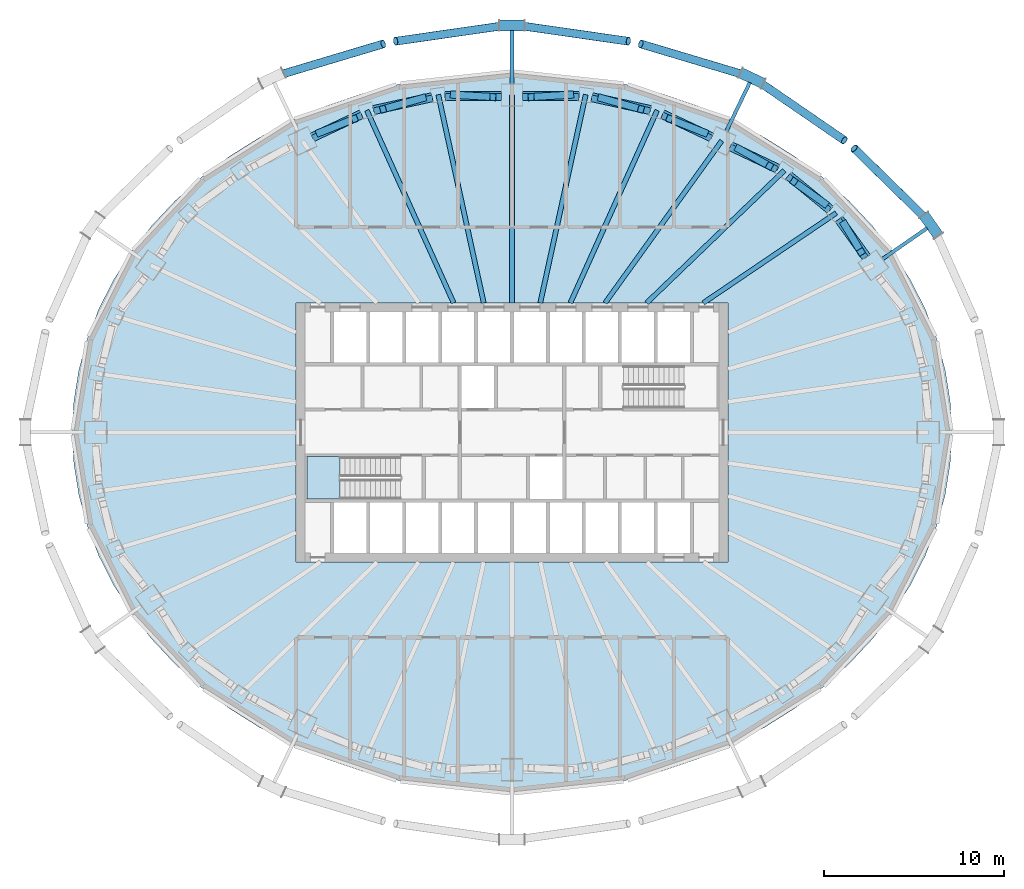
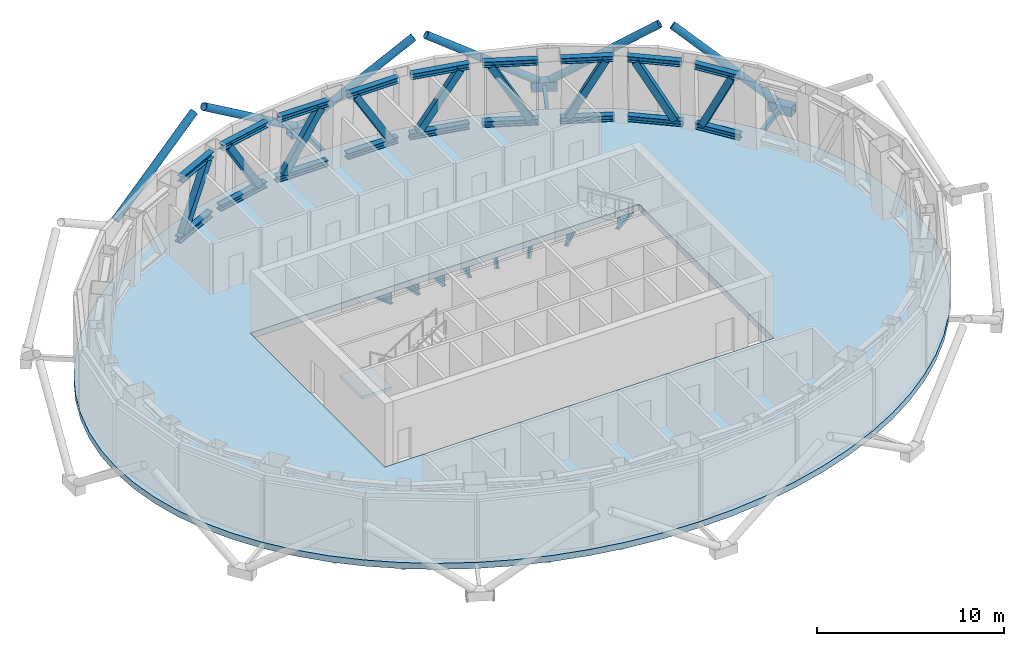
# One storey, part 4 of 16: 26 beams, 21 members, 2 slabs, 1 element without a shape of its own.
"""IFC4 building model written with IfcOpenShell, lengths in metres."""

from ifc_helpers import new_model, si_unit, direction, frame, origin, origin_2d, place, context, subcontext, project, spatial, polyline, hollow_rectangle, hollow_circle, i_section, outline, extrude, material, layer, layer_set, material_profile, profile_set, type_object, element, aggregate, save


model = new_model("IFC4")

# Units and contexts
model_context = context("Model", 3, precision=1e-05, world=origin(), true_north=direction((0.0, 1.0)))
body_context = subcontext(model_context, "Body", "Model", "MODEL_VIEW")
ifc_project = project(units=[si_unit("LENGTHUNIT", "METRE"), si_unit("AREAUNIT", "SQUARE_METRE"), si_unit("VOLUMEUNIT", "CUBIC_METRE"), si_unit("PLANEANGLEUNIT", "RADIAN"), si_unit("MASSUNIT", "GRAM", prefix="KILO")], contexts=[model_context])

# Site, building, storey
site_placement = place(None, origin())
site = spatial("IfcSite", under=ifc_project, at=site_placement, CompositionType="ELEMENT")
building_placement = place(site_placement, origin())
building = spatial("IfcBuilding", under=site, at=building_placement, Name="Siaravel Broadcast Tower", CompositionType="ELEMENT")
storey_placement = place(building_placement, frame((0.0, 0.0, 152.60009765625)))
storey = spatial("IfcBuildingStorey", under=building, at=storey_placement, Name="L36", CompositionType="ELEMENT", Elevation=152.60009765625)

# Beams
ifc_material_1 = material(Name="Steel S355", Category="steel")
ifc_material_profile_1 = material_profile(ifc_material_1, i_section(OverallWidth=0.26513671875, OverallDepth=0.75390625, WebThickness=0.0126953125, FlangeThickness=0.017578125, FilletRadius=0.0166015625, at=origin_2d()))
ifc_profile_set_1 = profile_set([ifc_material_profile_1], Name="Steel S355")
beam_type_1 = type_object("IfcBeamType", Name="BM-UB 762x267x147", PredefinedType="BEAM", material=ifc_profile_set_1)
beam_1_placement = place(storey_placement, frame((18.02587890625, 12.201171875, -0.777099609375), z_axis=(-0.828127255, -0.560540141, 0.0), x_axis=(0.560540141, -0.828127255, 0.0)))
element("IfcBeam", 1, at=beam_1_placement, inside=storey, type_object=beam_type_1, Name="Radial beam RB05", PredefinedType="BEAM", context=body_context, shape_type="SweptSolid", body=[
    extrude(i_section(OverallWidth=0.26513671875, OverallDepth=0.75390625, WebThickness=0.0126953125, FlangeThickness=0.017578125, FilletRadius=0.0166015625, at=origin_2d()), origin(), (0.0, 0.0, 1.0), 8.922119140625),
])
beam_2_placement = place(storey_placement, frame((15.141357421875, 14.563720703125, -0.777099609375), z_axis=(-0.720717342, -0.693229048, 0.0), x_axis=(0.693229048, -0.720717342, 0.0)))
element("IfcBeam", 2, at=beam_2_placement, inside=storey, type_object=beam_type_1, Name="Radial beam RB06", PredefinedType="BEAM", context=body_context, shape_type="SweptSolid", body=[
    extrude(i_section(OverallWidth=0.26513671875, OverallDepth=0.75390625, WebThickness=0.0126953125, FlangeThickness=0.017578125, FilletRadius=0.0166015625, at=origin_2d()), origin(), (0.0, 0.0, 1.0), 10.622314453125),
])
beam_3_placement = place(storey_placement, frame((11.66015625, 16.21533203125, -0.777099609375), z_axis=(-0.583820417, -0.811882825, 0.0), x_axis=(0.811882825, -0.583820417, 0.0)))
element("IfcBeam", 3, at=beam_3_placement, inside=storey, type_object=beam_type_1, Name="Radial beam RB07", PredefinedType="BEAM", context=body_context, shape_type="SweptSolid", body=[
    extrude(i_section(OverallWidth=0.26513671875, OverallDepth=0.75390625, WebThickness=0.0126953125, FlangeThickness=0.017578125, FilletRadius=0.0166015625, at=origin_2d()), origin(), (0.0, 0.0, 1.0), 11.104248046875),
])
beam_4_placement = place(storey_placement, frame((8.069091796875, 17.906982421875, -0.777099609375), z_axis=(-0.410827942, -0.911712895, 0.0), x_axis=(0.911712895, -0.410827942, 0.0)))
element("IfcBeam", 4, at=beam_4_placement, inside=storey, type_object=beam_type_1, Name="Radial beam RB08", PredefinedType="BEAM", context=body_context, shape_type="SweptSolid", body=[
    extrude(i_section(OverallWidth=0.26513671875, OverallDepth=0.75390625, WebThickness=0.0126953125, FlangeThickness=0.017578125, FilletRadius=0.0166015625, at=origin_2d()), origin(), (0.0, 0.0, 1.0), 11.743896484375),
])
beam_5_placement = place(storey_placement, frame((4.098388671875, 18.778564453125, -0.777099609375), z_axis=(-0.213236079, -0.977000703, 0.0), x_axis=(0.977000703, -0.213236079, 0.0)))
element("IfcBeam", 5, at=beam_5_placement, inside=storey, type_object=beam_type_1, Name="Radial beam RB09", PredefinedType="BEAM", context=body_context, shape_type="SweptSolid", body=[
    extrude(i_section(OverallWidth=0.26513671875, OverallDepth=0.75390625, WebThickness=0.0126953125, FlangeThickness=0.017578125, FilletRadius=0.0166015625, at=origin_2d()), origin(), (0.0, 0.0, 1.0), 11.85107421875),
])
beam_6_placement = place(storey_placement, frame((0.0, 18.772216796875, -0.777099609375), z_axis=(0.0, -1.0, 0.0), x_axis=(1.0, 0.0, 0.0)))
element("IfcBeam", 6, at=beam_6_placement, inside=storey, type_object=beam_type_1, Name="Radial beam RB10", PredefinedType="BEAM", context=body_context, shape_type="SweptSolid", body=[
    extrude(i_section(OverallWidth=0.26513671875, OverallDepth=0.75390625, WebThickness=0.0126953125, FlangeThickness=0.017578125, FilletRadius=0.0166015625, at=origin_2d()), origin(), (0.0, 0.0, 1.0), 11.572265625),
])
beam_7_placement = place(storey_placement, frame((-4.098388671875, 18.778564453125, -0.777099609375), z_axis=(0.213236079, -0.977000703, 0.0), x_axis=(0.977000703, 0.213236079, 0.0)))
element("IfcBeam", 7, at=beam_7_placement, inside=storey, type_object=beam_type_1, Name="Radial beam RB11", PredefinedType="BEAM", context=body_context, shape_type="SweptSolid", body=[
    extrude(i_section(OverallWidth=0.26513671875, OverallDepth=0.75390625, WebThickness=0.0126953125, FlangeThickness=0.017578125, FilletRadius=0.0166015625, at=origin_2d()), origin(), (0.0, 0.0, 1.0), 11.85107421875),
])
beam_8_placement = place(storey_placement, frame((-8.069091796875, 17.906982421875, -0.777099609375), z_axis=(0.410827942, -0.911712895, 0.0), x_axis=(0.911712895, 0.410827942, 0.0)))
element("IfcBeam", 8, at=beam_8_placement, inside=storey, type_object=beam_type_1, Name="Radial beam RB12", PredefinedType="BEAM", context=body_context, shape_type="SweptSolid", body=[
    extrude(i_section(OverallWidth=0.26513671875, OverallDepth=0.75390625, WebThickness=0.0126953125, FlangeThickness=0.017578125, FilletRadius=0.0166015625, at=origin_2d()), origin(), (0.0, 0.0, 1.0), 11.743896484375),
])
ifc_material_2 = material(Name="Steel S460", Category="steel")
ifc_material_profile_2 = material_profile(ifc_material_2, i_section(OverallWidth=0.37255859375, OverallDepth=0.3681640625, WebThickness=0.01220703125, FlangeThickness=0.023681640625, FilletRadius=0.01513671875, at=origin_2d()))
ifc_profile_set_2 = profile_set([ifc_material_profile_2], Name="Steel S460")
beam_type_2 = type_object("IfcBeamType", Name="Belt truss chord UC 356x368x177", PredefinedType="BEAM", material=ifc_profile_set_2)
beam_9_placement = place(storey_placement, frame((19.763916015625, 9.785400390625, 0.18408203125), z_axis=(-0.58400854, 0.811747513, 0.0), x_axis=(-0.811747513, -0.58400854, 0.0)))
element("IfcBeam", 9, at=beam_9_placement, inside=storey, type_object=beam_type_2, Name="Belt truss 2 bottom chord 04", PredefinedType="BEAM", context=body_context, shape_type="SweptSolid", body=[
    extrude(i_section(OverallWidth=0.37255859375, OverallDepth=0.3681640625, WebThickness=0.01220703125, FlangeThickness=0.023681640625, FilletRadius=0.01513671875, at=origin_2d()), origin(), (0.0, 0.0, 1.0), 2.606201171875),
])
beam_10_placement = place(storey_placement, frame((19.629150390625, 9.7216796875, 4.165771484375), z_axis=(-0.583489916, 0.812120384, 0.0), x_axis=(-0.812120384, -0.583489916, 0.0)))
element("IfcBeam", 10, at=beam_10_placement, inside=storey, type_object=beam_type_2, Name="Belt truss 2 top chord 04", PredefinedType="BEAM", context=body_context, shape_type="SweptSolid", body=[
    extrude(i_section(OverallWidth=0.37255859375, OverallDepth=0.3681640625, WebThickness=0.01220703125, FlangeThickness=0.023681640625, FilletRadius=0.01513671875, at=origin_2d()), origin(), (0.0, 0.0, 1.0), 2.58203125),
])
beam_11_placement = place(storey_placement, frame((17.73974609375, 12.435546875, 0.18408203125), z_axis=(-0.773636931, 0.633629149, 0.0), x_axis=(-0.633629149, -0.773636931, 0.0)))
element("IfcBeam", 11, at=beam_11_placement, inside=storey, type_object=beam_type_2, Name="Belt truss 2 bottom chord 05", PredefinedType="BEAM", context=body_context, shape_type="SweptSolid", body=[
    extrude(i_section(OverallWidth=0.37255859375, OverallDepth=0.3681640625, WebThickness=0.01220703125, FlangeThickness=0.023681640625, FilletRadius=0.01513671875, at=origin_2d()), origin(), (0.0, 0.0, 1.0), 2.98876953125),
])
beam_12_placement = place(storey_placement, frame((17.620361328125, 12.353515625, 4.165771484375), z_axis=(-0.773608541, 0.633663811, 0.0), x_axis=(-0.633663811, -0.773608541, 0.0)))
element("IfcBeam", 12, at=beam_12_placement, inside=storey, type_object=beam_type_2, Name="Belt truss 2 top chord 05", PredefinedType="BEAM", context=body_context, shape_type="SweptSolid", body=[
    extrude(i_section(OverallWidth=0.37255859375, OverallDepth=0.3681640625, WebThickness=0.01220703125, FlangeThickness=0.023681640625, FilletRadius=0.01513671875, at=origin_2d()), origin(), (0.0, 0.0, 1.0), 2.964111328125),
])
beam_13_placement = place(storey_placement, frame((14.806884765625, 14.722412109375, 0.18408203125), z_axis=(-0.903484633, 0.428620482, 0.0), x_axis=(-0.428620482, -0.903484633, 0.0)))
element("IfcBeam", 13, at=beam_13_placement, inside=storey, type_object=beam_type_2, Name="Belt truss 2 bottom chord 06", PredefinedType="BEAM", context=body_context, shape_type="SweptSolid", body=[
    extrude(i_section(OverallWidth=0.37255859375, OverallDepth=0.3681640625, WebThickness=0.01220703125, FlangeThickness=0.023681640625, FilletRadius=0.01513671875, at=origin_2d()), origin(), (0.0, 0.0, 1.0), 2.887939453125),
])
beam_14_placement = place(storey_placement, frame((14.706787109375, 14.62451171875, 4.165771484375), z_axis=(-0.903710051, 0.428145003, 0.0), x_axis=(-0.428145003, -0.903710051, 0.0)))
element("IfcBeam", 14, at=beam_14_placement, inside=storey, type_object=beam_type_2, Name="Belt truss 2 top chord 06", PredefinedType="BEAM", context=body_context, shape_type="SweptSolid", body=[
    extrude(i_section(OverallWidth=0.37255859375, OverallDepth=0.3681640625, WebThickness=0.01220703125, FlangeThickness=0.023681640625, FilletRadius=0.01513671875, at=origin_2d()), origin(), (0.0, 0.0, 1.0), 2.862548828125),
])
beam_15_placement = place(storey_placement, frame((11.121826171875, 16.468994140625, 0.18408203125), z_axis=(-0.904632623, 0.426192231, 0.0), x_axis=(-0.426192231, -0.904632623, 0.0)))
element("IfcBeam", 15, at=beam_15_placement, inside=storey, type_object=beam_type_2, Name="Belt truss 2 bottom chord 07", PredefinedType="BEAM", context=body_context, shape_type="SweptSolid", body=[
    extrude(i_section(OverallWidth=0.37255859375, OverallDepth=0.3681640625, WebThickness=0.01220703125, FlangeThickness=0.023681640625, FilletRadius=0.01513671875, at=origin_2d()), origin(), (0.0, 0.0, 1.0), 3.004638671875),
])
beam_16_placement = place(storey_placement, frame((11.044189453125, 16.35888671875, 4.165771484375), z_axis=(-0.904454268, 0.426570601, 0.0), x_axis=(-0.426570601, -0.904454268, 0.0)))
element("IfcBeam", 16, at=beam_16_placement, inside=storey, type_object=beam_type_2, Name="Belt truss 2 top chord 07", PredefinedType="BEAM", context=body_context, shape_type="SweptSolid", body=[
    extrude(i_section(OverallWidth=0.37255859375, OverallDepth=0.3681640625, WebThickness=0.01220703125, FlangeThickness=0.023681640625, FilletRadius=0.01513671875, at=origin_2d()), origin(), (0.0, 0.0, 1.0), 2.978515625),
])
beam_17_placement = place(storey_placement, frame((7.707763671875, 17.986328125, 0.18408203125), z_axis=(-0.976746968, 0.214395335, 0.0), x_axis=(-0.214395335, -0.976746968, 0.0)))
element("IfcBeam", 17, at=beam_17_placement, inside=storey, type_object=beam_type_2, Name="Belt truss 2 bottom chord 08", PredefinedType="BEAM", context=body_context, shape_type="SweptSolid", body=[
    extrude(i_section(OverallWidth=0.37255859375, OverallDepth=0.3681640625, WebThickness=0.01220703125, FlangeThickness=0.023681640625, FilletRadius=0.01513671875, at=origin_2d()), origin(), (0.0, 0.0, 1.0), 3.3251953125),
])
beam_18_placement = place(storey_placement, frame((7.654296875, 17.866455078125, 4.165771484375), z_axis=(-0.976751527, 0.214374568, 0.0), x_axis=(-0.214374568, -0.976751527, 0.0)))
element("IfcBeam", 18, at=beam_18_placement, inside=storey, type_object=beam_type_2, Name="Belt truss 2 top chord 08", PredefinedType="BEAM", context=body_context, shape_type="SweptSolid", body=[
    extrude(i_section(OverallWidth=0.37255859375, OverallDepth=0.3681640625, WebThickness=0.01220703125, FlangeThickness=0.023681640625, FilletRadius=0.01513671875, at=origin_2d()), origin(), (0.0, 0.0, 1.0), 3.298095703125),
])
beam_19_placement = place(storey_placement, frame((3.728515625, 18.77783203125, 0.18408203125), z_axis=(-0.999998904, -0.001480326, 0.0), x_axis=(0.001480326, -0.999998904, 0.0)))
element("IfcBeam", 19, at=beam_19_placement, inside=storey, type_object=beam_type_2, Name="Belt truss 2 bottom chord 09", PredefinedType="BEAM", context=body_context, shape_type="SweptSolid", body=[
    extrude(i_section(OverallWidth=0.37255859375, OverallDepth=0.3681640625, WebThickness=0.01220703125, FlangeThickness=0.023681640625, FilletRadius=0.01513671875, at=origin_2d()), origin(), (0.0, 0.0, 1.0), 3.133544921875),
])
beam_20_placement = place(storey_placement, frame((3.701416015625, 18.652099609375, 4.165771484375), z_axis=(-0.999997912, -0.002043378, 0.0), x_axis=(0.002043378, -0.999997912, 0.0)))
element("IfcBeam", 20, at=beam_20_placement, inside=storey, type_object=beam_type_2, Name="Belt truss 2 top chord 09", PredefinedType="BEAM", context=body_context, shape_type="SweptSolid", body=[
    extrude(i_section(OverallWidth=0.37255859375, OverallDepth=0.3681640625, WebThickness=0.01220703125, FlangeThickness=0.023681640625, FilletRadius=0.01513671875, at=origin_2d()), origin(), (0.0, 0.0, 1.0), 3.1064453125),
])
beam_21_placement = place(storey_placement, frame((-0.594970703125, 18.773193359375, 0.18408203125), z_axis=(-0.999998904, 0.001480326, 0.0), x_axis=(-0.001480326, -0.999998904, 0.0)))
element("IfcBeam", 21, at=beam_21_placement, inside=storey, type_object=beam_type_2, Name="Belt truss 2 bottom chord 10", PredefinedType="BEAM", context=body_context, shape_type="SweptSolid", body=[
    extrude(i_section(OverallWidth=0.37255859375, OverallDepth=0.3681640625, WebThickness=0.01220703125, FlangeThickness=0.023681640625, FilletRadius=0.01513671875, at=origin_2d()), origin(), (0.0, 0.0, 1.0), 3.133544921875),
])
beam_22_placement = place(storey_placement, frame((-0.594970703125, 18.645751953125, 4.165771484375), z_axis=(-0.999997912, 0.002043378, 0.0), x_axis=(-0.002043378, -0.999997912, 0.0)))
element("IfcBeam", 22, at=beam_22_placement, inside=storey, type_object=beam_type_2, Name="Belt truss 2 top chord 10", PredefinedType="BEAM", context=body_context, shape_type="SweptSolid", body=[
    extrude(i_section(OverallWidth=0.37255859375, OverallDepth=0.3681640625, WebThickness=0.01220703125, FlangeThickness=0.023681640625, FilletRadius=0.01513671875, at=origin_2d()), origin(), (0.0, 0.0, 1.0), 3.1064453125),
])
beam_23_placement = place(storey_placement, frame((-4.4599609375, 18.69921875, 0.18408203125), z_axis=(-0.976746968, -0.214395335, 0.0), x_axis=(0.214395335, -0.976746968, 0.0)))
element("IfcBeam", 23, at=beam_23_placement, inside=storey, type_object=beam_type_2, Name="Belt truss 2 bottom chord 11", PredefinedType="BEAM", context=body_context, shape_type="SweptSolid", body=[
    extrude(i_section(OverallWidth=0.37255859375, OverallDepth=0.3681640625, WebThickness=0.01220703125, FlangeThickness=0.023681640625, FilletRadius=0.01513671875, at=origin_2d()), origin(), (0.0, 0.0, 1.0), 3.3251953125),
])
beam_24_placement = place(storey_placement, frame((-4.432861328125, 18.573486328125, 4.165771484375), z_axis=(-0.976751527, -0.214374568, 0.0), x_axis=(0.214374568, -0.976751527, 0.0)))
element("IfcBeam", 24, at=beam_24_placement, inside=storey, type_object=beam_type_2, Name="Belt truss 2 top chord 11", PredefinedType="BEAM", context=body_context, shape_type="SweptSolid", body=[
    extrude(i_section(OverallWidth=0.37255859375, OverallDepth=0.3681640625, WebThickness=0.01220703125, FlangeThickness=0.023681640625, FilletRadius=0.01513671875, at=origin_2d()), origin(), (0.0, 0.0, 1.0), 3.298095703125),
])
beam_25_placement = place(storey_placement, frame((-8.40380859375, 17.74951171875, 0.18408203125), z_axis=(-0.904632623, -0.426192231, 0.0), x_axis=(0.426192231, -0.904632623, 0.0)))
element("IfcBeam", 25, at=beam_25_placement, inside=storey, type_object=beam_type_2, Name="Belt truss 2 bottom chord 12", PredefinedType="BEAM", context=body_context, shape_type="SweptSolid", body=[
    extrude(i_section(OverallWidth=0.37255859375, OverallDepth=0.3681640625, WebThickness=0.01220703125, FlangeThickness=0.023681640625, FilletRadius=0.01513671875, at=origin_2d()), origin(), (0.0, 0.0, 1.0), 3.004638671875),
])
beam_26_placement = place(storey_placement, frame((-8.350341796875, 17.62939453125, 4.165771484375), z_axis=(-0.904454268, -0.426570601, 0.0), x_axis=(0.426570601, -0.904454268, 0.0)))
element("IfcBeam", 26, at=beam_26_placement, inside=storey, type_object=beam_type_2, Name="Belt truss 2 top chord 12", PredefinedType="BEAM", context=body_context, shape_type="SweptSolid", body=[
    extrude(i_section(OverallWidth=0.37255859375, OverallDepth=0.3681640625, WebThickness=0.01220703125, FlangeThickness=0.023681640625, FilletRadius=0.01513671875, at=origin_2d()), origin(), (0.0, 0.0, 1.0), 2.978515625),
])

# Members
ifc_material_profile_3 = material_profile(ifc_material_2, hollow_rectangle(XDim=0.39990234375, YDim=0.39990234375, WallThickness=0.01611328125, at=origin_2d()))
ifc_profile_set_3 = profile_set([ifc_material_profile_3], Name="Steel S460")
member_type_1 = type_object("IfcMemberType", Name="Belt truss web RHS 400x400x16", PredefinedType="BRACE", material=ifc_profile_set_3)
member_1_placement = place(storey_placement, frame((18.47021484375, 11.58349609375, 0.338134765625), z_axis=(0.227929443, -0.377914412, 0.897345455), x_axis=(0.85631028, 0.516461716, 0.0)))
element("IfcMember", 27, at=member_1_placement, inside=storey, type_object=member_type_1, Name="Belt truss 2 web 04", PredefinedType="BRACE", context=body_context, shape_type="SweptSolid", body=[
    extrude(hollow_rectangle(XDim=0.39990234375, YDim=0.39990234375, WallThickness=0.01611328125, at=origin_2d()), origin(), (0.0, 0.0, 1.0), 4.09375),
])
member_2_placement = place(storey_placement, frame((17.392822265625, 12.7197265625, 0.338134765625), z_axis=(-0.406062061, 0.290192416, 0.866545997), x_axis=(-0.581434646, -0.813593112, 0.0)))
element("IfcMember", 28, at=member_2_placement, inside=storey, type_object=member_type_1, Name="Belt truss 2 web 05", PredefinedType="BRACE", context=body_context, shape_type="SweptSolid", body=[
    extrude(hollow_rectangle(XDim=0.39990234375, YDim=0.39990234375, WallThickness=0.01611328125, at=origin_2d()), origin(), (0.0, 0.0, 1.0), 4.2392578125),
])
member_3_placement = place(storey_placement, frame((12.589111328125, 15.774658203125, 0.338134765625), z_axis=(0.414423022, -0.231515359, 0.880144419), x_axis=(0.487702601, 0.873009835, 0.0)))
element("IfcMember", 29, at=member_3_placement, inside=storey, type_object=member_type_1, Name="Belt truss 2 web 06", PredefinedType="BRACE", context=body_context, shape_type="SweptSolid", body=[
    extrude(hollow_rectangle(XDim=0.39990234375, YDim=0.39990234375, WallThickness=0.01611328125, at=origin_2d()), origin(), (0.0, 0.0, 1.0), 4.173828125),
])
member_4_placement = place(storey_placement, frame((10.714111328125, 16.660888671875, 0.338134765625), z_axis=(-0.462672021, 0.183639349, 0.867301096), x_axis=(-0.3689138, -0.929463613, 0.0)))
element("IfcMember", 30, at=member_4_placement, inside=storey, type_object=member_type_1, Name="Belt truss 2 web 07", PredefinedType="BRACE", context=body_context, shape_type="SweptSolid", body=[
    extrude(hollow_rectangle(XDim=0.39990234375, YDim=0.39990234375, WallThickness=0.01611328125, at=origin_2d()), origin(), (0.0, 0.0, 1.0), 4.235595703125),
])
member_5_placement = place(storey_placement, frame((4.947021484375, 18.59228515625, 0.338134765625), z_axis=(0.512602661, -0.142808513, 0.846666546), x_axis=(0.268374592, 0.963314631, 0.0)))
element("IfcMember", 31, at=member_5_placement, inside=storey, type_object=member_type_1, Name="Belt truss 2 web 08", PredefinedType="BRACE", context=body_context, shape_type="SweptSolid", body=[
    extrude(hollow_rectangle(XDim=0.39990234375, YDim=0.39990234375, WallThickness=0.01611328125, at=origin_2d()), origin(), (0.0, 0.0, 1.0), 4.3388671875),
])
for number, where, z_axis, x_axis, name in (
    (32, (3.258544921875, 18.777099609375, 0.338134765625), (-0.513116724, -0.030441543, 0.857778841), (0.059222611, -0.998244801, 0.0), "Belt truss 2 web 09"),
    (33, (-3.258544921875, 18.777099609375, 0.338134765625), (0.513116724, -0.030441543, 0.857778841), (0.059222611, 0.998244801, 0.0), "Belt truss 2 web 10"),
):
    element("IfcMember", number, at=place(storey_placement, frame(where, z_axis=z_axis, x_axis=x_axis)), inside=storey, type_object=member_type_1, Name=name, PredefinedType="BRACE", context=body_context, shape_type="SweptSolid", body=[
        extrude(hollow_rectangle(XDim=0.39990234375, YDim=0.39990234375, WallThickness=0.01611328125, at=origin_2d()), origin(), (0.0, 0.0, 1.0), 4.28271484375),
    ])
member_6_placement = place(storey_placement, frame((-4.947021484375, 18.59228515625, 0.338134765625), z_axis=(-0.512602661, -0.142808513, 0.846666546), x_axis=(0.268374592, -0.963314631, 0.0)))
element("IfcMember", 34, at=member_6_placement, inside=storey, type_object=member_type_1, Name="Belt truss 2 web 11", PredefinedType="BRACE", context=body_context, shape_type="SweptSolid", body=[
    extrude(hollow_rectangle(XDim=0.39990234375, YDim=0.39990234375, WallThickness=0.01611328125, at=origin_2d()), origin(), (0.0, 0.0, 1.0), 4.3388671875),
])
member_7_placement = place(storey_placement, frame((-10.714111328125, 16.660888671875, 0.338134765625), z_axis=(0.462672021, 0.183639349, 0.867301096), x_axis=(-0.3689138, 0.929463613, 0.0)))
element("IfcMember", 35, at=member_7_placement, inside=storey, type_object=member_type_1, Name="Belt truss 2 web 12", PredefinedType="BRACE", context=body_context, shape_type="SweptSolid", body=[
    extrude(hollow_rectangle(XDim=0.39990234375, YDim=0.39990234375, WallThickness=0.01611328125, at=origin_2d()), origin(), (0.0, 0.0, 1.0), 4.235595703125),
])
ifc_material_profile_4 = material_profile(ifc_material_2, hollow_circle(Radius=0.228515625, WallThickness=0.02001953125, at=origin_2d()))
ifc_profile_set_4 = profile_set([ifc_material_profile_4], Name="Steel S460")
member_type_2 = type_object("IfcMemberType", Name="Diagrid diagonal CHS 457x20", PredefinedType="BRACE", material=ifc_profile_set_4)
member_8_placement = place(storey_placement, frame((23.099609375, 11.7998046875, 0.06982421875), z_axis=(-0.587141199, 0.574950808, 0.56982171), x_axis=(-0.699650709, -0.714485049, 0.0)))
element("IfcMember", 36, at=member_8_placement, inside=storey, type_object=member_type_2, Name="Diagrid diagonal R15 station 06A", PredefinedType="BRACE", context=body_context, shape_type="SweptSolid", body=[
    extrude(hollow_circle(Radius=0.228515625, WallThickness=0.02001953125, at=origin_2d()), origin(), (0.0, 0.0, 1.0), 6.949462890625),
])
member_9_placement = place(storey_placement, frame((13.655517578125, 19.54638671875, 0.06982421875), z_axis=(0.682730745, -0.468259992, 0.560902228), x_axis=(0.565611963, 0.824671515, 0.0)))
element("IfcMember", 37, at=member_9_placement, inside=storey, type_object=member_type_2, Name="Diagrid diagonal R15 station 12C", PredefinedType="BRACE", context=body_context, shape_type="SweptSolid", body=[
    extrude(hollow_circle(Radius=0.228515625, WallThickness=0.02001953125, at=origin_2d()), origin(), (0.0, 0.0, 1.0), 7.06005859375),
])
member_10_placement = place(storey_placement, frame((13.020263671875, 19.8466796875, 0.06982421875), z_axis=(-0.804303377, 0.240302596, 0.543461811), x_axis=(-0.286267446, -0.958149753, 0.0)))
element("IfcMember", 38, at=member_10_placement, inside=storey, type_object=member_type_2, Name="Diagrid diagonal R15 station 12A", PredefinedType="BRACE", context=body_context, shape_type="SweptSolid", body=[
    extrude(hollow_circle(Radius=0.228515625, WallThickness=0.02001953125, at=origin_2d()), origin(), (0.0, 0.0, 1.0), 7.28662109375),
])
for number, where, z_axis, x_axis, name in (
    (39, (0.351318359375, 22.629638671875, 0.06982421875), (0.833578255, -0.120008674, 0.539207948), (0.142498896, 0.989794961, 0.0), "Diagrid diagonal R15 station 18C"),
    (40, (-0.351318359375, 22.629638671875, 0.06982421875), (-0.833578255, -0.120008674, 0.539207948), (0.142498896, -0.989794961, 0.0), "Diagrid diagonal R15 station 18A"),
):
    element("IfcMember", number, at=place(storey_placement, frame(where, z_axis=z_axis, x_axis=x_axis)), inside=storey, type_object=member_type_2, Name=name, PredefinedType="BRACE", context=body_context, shape_type="SweptSolid", body=[
        extrude(hollow_circle(Radius=0.228515625, WallThickness=0.02001953125, at=origin_2d()), origin(), (0.0, 0.0, 1.0), 7.343994140625),
    ])
member_11_placement = place(storey_placement, frame((-13.020263671875, 19.8466796875, 0.06982421875), z_axis=(0.804303377, 0.240302596, 0.543461811), x_axis=(-0.286267446, 0.958149753, 0.0)))
element("IfcMember", 41, at=member_11_placement, inside=storey, type_object=member_type_2, Name="Diagrid diagonal R15 station 24C", PredefinedType="BRACE", context=body_context, shape_type="SweptSolid", body=[
    extrude(hollow_circle(Radius=0.228515625, WallThickness=0.02001953125, at=origin_2d()), origin(), (0.0, 0.0, 1.0), 7.28662109375),
])
ifc_material_profile_5 = material_profile(ifc_material_2, hollow_rectangle(XDim=0.60009765625, YDim=0.60009765625, WallThickness=0.0400390625, at=origin_2d()))
ifc_profile_set_5 = profile_set([ifc_material_profile_5], Name="Steel S460")
member_type_3 = type_object("IfcMemberType", Name="Diagrid node BOX 600x600x40", PredefinedType="USERDEFINED", material=ifc_profile_set_5)
member_12_placement = place(storey_placement, frame((23.705078125, 10.940673828125, -0.2001953125), z_axis=(-0.576128367, 0.817359227, 0.0), x_axis=(-0.817359227, -0.576128367, 0.0)))
element("IfcMember", 42, at=member_12_placement, inside=storey, type_object=member_type_3, Name="Diagrid node R15 station 06", ObjectType="DIAGRID NODE", PredefinedType="USERDEFINED", context=body_context, shape_type="SweptSolid", body=[
    extrude(hollow_rectangle(XDim=0.60009765625, YDim=0.60009765625, WallThickness=0.0400390625, at=origin_2d()), origin(), (0.0, 0.0, 1.0), 1.399658203125),
])
for number, where, z_axis, x_axis, name in (
    (43, (13.970703125, 19.3974609375, -0.2001953125), (-0.904046537, 0.42743404, 0.0), (-0.42743404, -0.904046537, 0.0), "Diagrid node R15 station 12"),
    (44, (0.699951171875, 22.629638671875, -0.2001953125), (-1.0, 0.0, 0.0), (0.0, -1.0, 0.0), "Diagrid node R15 station 18"),
):
    element("IfcMember", number, at=place(storey_placement, frame(where, z_axis=z_axis, x_axis=x_axis)), inside=storey, type_object=member_type_3, Name=name, ObjectType="DIAGRID NODE", PredefinedType="USERDEFINED", context=body_context, shape_type="SweptSolid", body=[
        extrude(hollow_rectangle(XDim=0.60009765625, YDim=0.60009765625, WallThickness=0.0400390625, at=origin_2d()), origin(), (0.0, 0.0, 1.0), 1.39990234375),
    ])
ifc_material_profile_6 = material_profile(ifc_material_2, hollow_rectangle(XDim=0.199951171875, YDim=0.300048828125, WallThickness=0.012451171875, at=origin_2d()))
ifc_profile_set_6 = profile_set([ifc_material_profile_6], Name="Steel S460")
member_type_4 = type_object("IfcMemberType", Name="Diagrid node arm RHS 300x200x12.5", PredefinedType="STRUT", material=ifc_profile_set_6)
member_13_placement = place(storey_placement, frame((20.600341796875, 9.64111328125, -0.2001953125), z_axis=(0.822031913, 0.569441423, 0.0), x_axis=(-0.569441423, 0.822031913, 0.0)))
element("IfcMember", 45, at=member_13_placement, inside=storey, type_object=member_type_4, Name="Node arm R15 station 06", PredefinedType="STRUT", context=body_context, shape_type="SweptSolid", body=[
    extrude(hollow_rectangle(XDim=0.199951171875, YDim=0.300048828125, WallThickness=0.012451171875, at=origin_2d()), origin(), (0.0, 0.0, 1.0), 3.0166015625),
])
member_14_placement = place(storey_placement, frame((11.91845703125, 16.75146484375, -0.2001953125), z_axis=(0.434175348, 0.900828379, 0.0), x_axis=(-0.900828379, 0.434175348, 0.0)))
element("IfcMember", 46, at=member_14_placement, inside=storey, type_object=member_type_4, Name="Node arm R15 station 12", PredefinedType="STRUT", context=body_context, shape_type="SweptSolid", body=[
    extrude(hollow_rectangle(XDim=0.199951171875, YDim=0.300048828125, WallThickness=0.012451171875, at=origin_2d()), origin(), (0.0, 0.0, 1.0), 2.999267578125),
])
member_15_placement = place(storey_placement, frame((0.0, 19.3671875, -0.2001953125), z_axis=(0.0, 1.0, 0.0), x_axis=(-1.0, 0.0, 0.0)))
element("IfcMember", 47, at=member_15_placement, inside=storey, type_object=member_type_4, Name="Node arm R15 station 18", PredefinedType="STRUT", context=body_context, shape_type="SweptSolid", body=[
    extrude(hollow_rectangle(XDim=0.199951171875, YDim=0.300048828125, WallThickness=0.012451171875, at=origin_2d()), origin(), (0.0, 0.0, 1.0), 2.992431640625),
])

# Slab
ifc_material_3 = material(Name="Concrete C40/50", Category="concrete")
ifc_layer_1 = layer(ifc_material_3, 0.39990234375)
ifc_layer_set_1 = layer_set([ifc_layer_1], Name="Concrete C40/50")
slab_type_1 = type_object("IfcSlabType", Name="SLB-FLOOR-400", PredefinedType="FLOOR", material=ifc_layer_set_1)
slab_1_placement = place(storey_placement, frame((0.0, 0.0, -0.400146484375)))
element("IfcSlab", 48, at=slab_1_placement, inside=storey, type_object=slab_type_1, Name="Floor slab", PredefinedType="FLOOR", context=body_context, shape_type="SweptSolid", body=[
    extrude(outline(polyline([(24.452880859375, 0.0), (24.359619140625, 1.74560546875), (24.081298828125, 3.47802734375), (23.61962890625, 5.18408203125), (22.97802734375, 6.8505859375), (22.161865234375, 8.46484375), (21.1767578125, 10.014892578125), (20.030517578125, 11.488525390625), (18.73193359375, 12.874755859375), (17.290771484375, 14.1630859375), (15.718017578125, 15.343505859375), (14.025390625, 16.4072265625), (12.226318359375, 17.34619140625), (10.334228515625, 18.153076171875), (8.36328125, 18.82177734375), (6.328857421875, 19.34716796875), (4.24609375, 19.725341796875), (2.131103515625, 19.953369140625), (0.0, 20.029541015625), (-2.131103515625, 19.953369140625), (-4.24609375, 19.725341796875), (-6.328857421875, 19.34716796875), (-8.36328125, 18.82177734375), (-10.334228515625, 18.153076171875), (-12.226318359375, 17.34619140625), (-14.025390625, 16.4072265625), (-15.718017578125, 15.343505859375), (-17.290771484375, 14.1630859375), (-18.73193359375, 12.874755859375), (-20.030517578125, 11.488525390625), (-21.1767578125, 10.014892578125), (-22.161865234375, 8.46484375), (-22.97802734375, 6.8505859375), (-23.61962890625, 5.18408203125), (-24.081298828125, 3.47802734375), (-24.359619140625, 1.74560546875), (-24.452880859375, 0.0), (-24.359619140625, -1.74560546875), (-24.081298828125, -3.47802734375), (-23.61962890625, -5.18408203125), (-22.97802734375, -6.8505859375), (-22.161865234375, -8.46484375), (-21.1767578125, -10.014892578125), (-20.030517578125, -11.488525390625), (-18.73193359375, -12.874755859375), (-17.290771484375, -14.1630859375), (-15.718017578125, -15.343505859375), (-14.025390625, -16.4072265625), (-12.226318359375, -17.34619140625), (-10.334228515625, -18.153076171875), (-8.36328125, -18.82177734375), (-6.328857421875, -19.34716796875), (-4.24609375, -19.725341796875), (-2.131103515625, -19.953369140625), (0.0, -20.029541015625), (2.131103515625, -19.953369140625), (4.24609375, -19.725341796875), (6.328857421875, -19.34716796875), (8.36328125, -18.82177734375), (10.334228515625, -18.153076171875), (12.226318359375, -17.34619140625), (14.025390625, -16.4072265625), (15.718017578125, -15.343505859375), (17.290771484375, -14.1630859375), (18.73193359375, -12.874755859375), (20.030517578125, -11.488525390625), (21.1767578125, -10.014892578125), (22.161865234375, -8.46484375), (22.97802734375, -6.8505859375), (23.61962890625, -5.18408203125), (24.081298828125, -3.47802734375), (24.359619140625, -1.74560546875), (24.452880859375, 0.0)]), holes=[polyline([(-12.0, 7.199951171875), (12.0, 7.199951171875), (12.0, -7.199951171875), (-12.0, -7.199951171875), (-12.0, 7.199951171875)])]), origin(), (0.0, 0.0, 1.0), 0.400146484375),
])

# Stair, slab
stair_type = type_object("IfcStairType", Name="Core exit stair", PredefinedType="HALF_TURN_STAIR", material=ifc_material_3)
stair_placement = place(storey_placement, origin())
stair = element("IfcStair", 49, at=stair_placement, inside=storey, type_object=stair_type, Name="L36 Exit stair ST-1", PredefinedType="HALF_TURN_STAIR")
ifc_layer_2 = layer(ifc_material_3, 0.199951171875)
ifc_layer_set_2 = layer_set([ifc_layer_2], Name="Concrete C40/50")
slab_type_2 = type_object("IfcSlabType", Name="Stair landing", PredefinedType="LANDING", material=ifc_layer_set_2)
slab_2_placement = place(storey_placement, frame((0.0, 0.0, 2.0498046875)))
slab_2 = element("IfcSlab", 50, at=slab_2_placement, type_object=slab_type_2, Name="ST-1 landing 1", PredefinedType="LANDING", context=body_context, shape_type="SweptSolid", body=[
    extrude(outline(polyline([(-9.56005859375, -1.35009765625), (-11.39990234375, -1.35009765625), (-11.39990234375, -3.699951171875), (-9.56005859375, -3.699951171875), (-9.56005859375, -1.35009765625)])), origin(), (0.0, 0.0, 1.0), 0.2001953125),
])
aggregate(stair, [slab_2])

save(model, "model.ifc")
